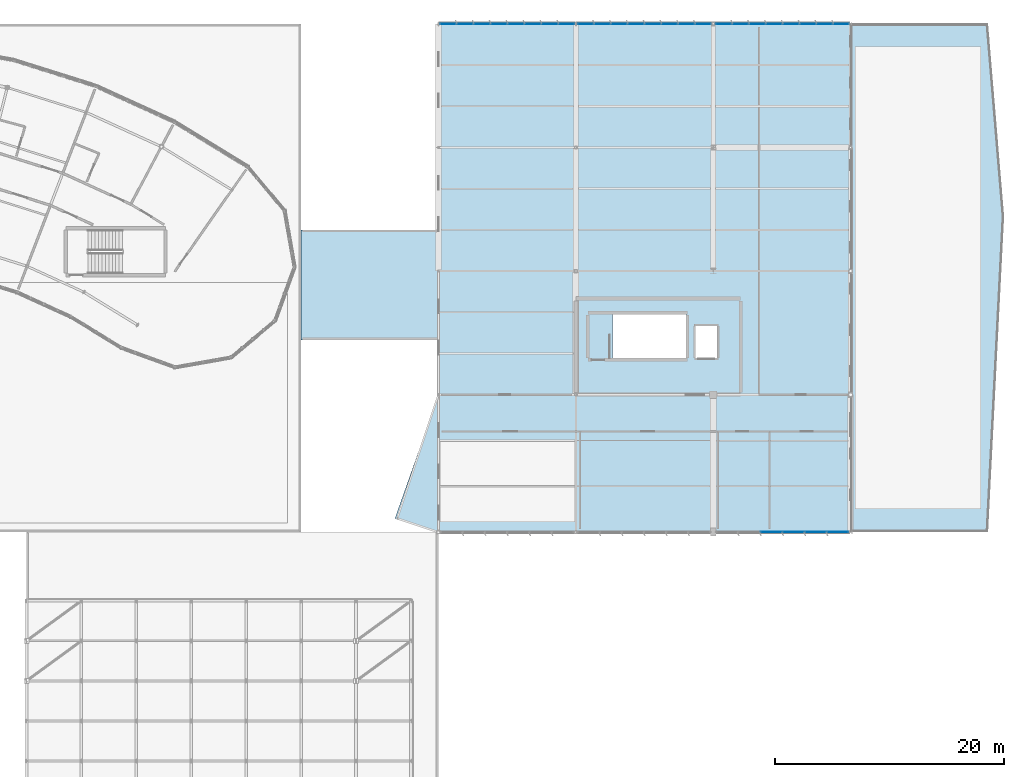
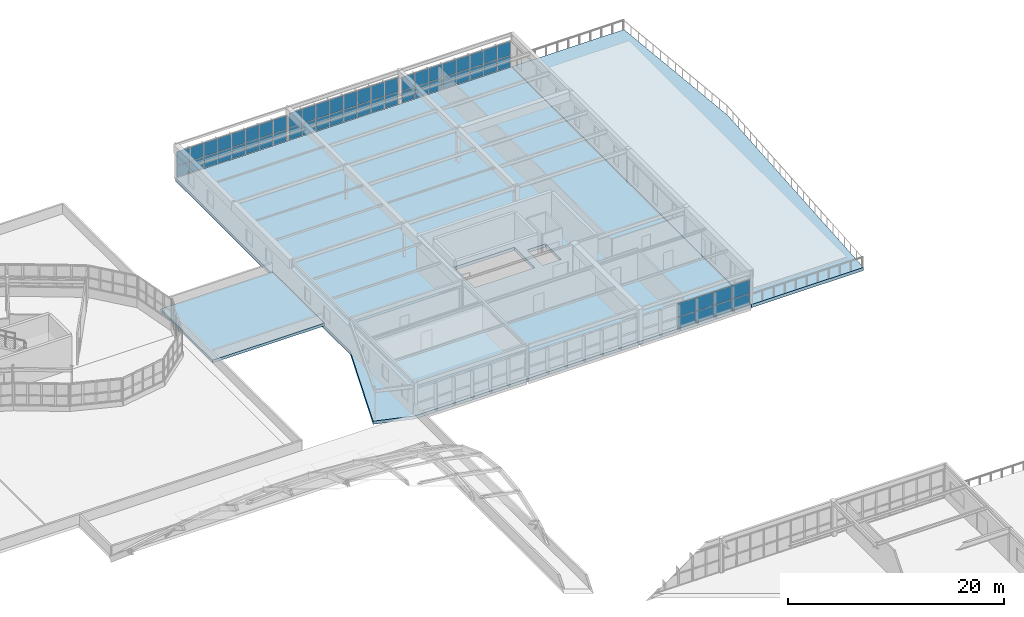
# One storey, part 82 of 128: 56 plates, 3 slabs, 4 elements without a shape of their own.
"""IFC4 building model written with IfcOpenShell, lengths in metres."""

from ifc_helpers import new_model, si_unit, direction, frame, origin, origin_2d, place, context, subcontext, project, spatial, polyline, rectangle, outline, extrude, material, layer, layer_set, type_object, element, aggregate, save


model = new_model("IFC4")

# Units and contexts
model_context = context("Model", 3, precision=1e-05, world=origin(), true_north=direction((0.0, 1.0)))
body_context = subcontext(model_context, "Body", "Model", "MODEL_VIEW")
ifc_project = project(units=[si_unit("LENGTHUNIT", "METRE"), si_unit("AREAUNIT", "SQUARE_METRE"), si_unit("VOLUMEUNIT", "CUBIC_METRE"), si_unit("PLANEANGLEUNIT", "RADIAN"), si_unit("MASSUNIT", "GRAM", prefix="KILO")], contexts=[model_context])

# Site, building, storey
site_placement = place(None, origin())
site = spatial("IfcSite", under=ifc_project, at=site_placement, CompositionType="ELEMENT")
building_placement = place(site_placement, origin())
building = spatial("IfcBuilding", under=site, at=building_placement, Name="Tarnwether General Hospital", CompositionType="ELEMENT")
storey_placement = place(building_placement, frame((0.0, 0.0, 14.39990234375)))
storey = spatial("IfcBuildingStorey", under=building, at=storey_placement, Name="L03", CompositionType="ELEMENT", Elevation=14.39990234375)

# Curtain wall, plates
ifc_material_1 = material(Name="Anodised aluminium", Category="aluminium")
ifc_layer_1 = layer(ifc_material_1, 0.159912109375)
ifc_layer_set_1 = layer_set([ifc_layer_1], Name="Anodised aluminium")
curtain_wall_type_1 = type_object("IfcCurtainWallType", Name="CW-16", PredefinedType="NOTDEFINED", material=ifc_layer_set_1)
curtain_wall_1_placement = place(storey_placement, origin())
curtain_wall_1 = element("IfcCurtainWall", 1, at=curtain_wall_1_placement, inside=storey, type_object=curtain_wall_type_1, Name="Curtain Wall CWG-L03-1441_1260-0482", PredefinedType="NOTDEFINED")
ifc_material_2 = material(Name="Double glazed low-E glass", Category="glass")
ifc_layer_2 = layer(ifc_material_2, 0.028076171875)
ifc_layer_set_2 = layer_set([ifc_layer_2], Name="Double glazed low-E glass")
plate_type = type_object("IfcPlateType", Name="PT-CWP1", PredefinedType="CURTAIN_PANEL", material=ifc_layer_set_2)
plate_1_placement = place(storey_placement, frame((144.826416015625, 126.0, 0.06005859375), z_axis=(0.0, 0.0, 1.0), x_axis=(1.0, 0.0, 0.0)))
plate_1 = element("IfcPlate", 2, at=plate_1_placement, type_object=plate_type, Name="CW-16 panel 1.1", PredefinedType="CURTAIN_PANEL", context=body_context, shape_type="SweptSolid", body=[
    extrude(rectangle(XDim=1.390625, YDim=0.028076171875, at=origin_2d()), origin(), (0.0, 0.0, 1.0), 1.25341796875),
])
plate_2_placement = place(storey_placement, frame((144.826416015625, 126.0, 1.373291015625), z_axis=(0.0, 0.0, 1.0), x_axis=(1.0, 0.0, 0.0)))
plate_2 = element("IfcPlate", 3, at=plate_2_placement, type_object=plate_type, Name="CW-16 panel 1.2", PredefinedType="CURTAIN_PANEL", context=body_context, shape_type="SweptSolid", body=[
    extrude(rectangle(XDim=1.390625, YDim=0.028076171875, at=origin_2d()), origin(), (0.0, 0.0, 1.0), 1.5517578125),
])
plate_3_placement = place(storey_placement, frame((146.2919921875, 126.0, 0.06005859375), z_axis=(0.0, 0.0, 1.0), x_axis=(1.0, 0.0, 0.0)))
plate_3 = element("IfcPlate", 4, at=plate_3_placement, type_object=plate_type, Name="CW-16 panel 2.1", PredefinedType="CURTAIN_PANEL", context=body_context, shape_type="SweptSolid", body=[
    extrude(rectangle(XDim=1.420654296875, YDim=0.028076171875, at=origin_2d()), origin(), (0.0, 0.0, 1.0), 1.25341796875),
])
plate_4_placement = place(storey_placement, frame((146.2919921875, 126.0, 1.373291015625), z_axis=(0.0, 0.0, 1.0), x_axis=(1.0, 0.0, 0.0)))
plate_4 = element("IfcPlate", 5, at=plate_4_placement, type_object=plate_type, Name="CW-16 panel 2.2", PredefinedType="CURTAIN_PANEL", context=body_context, shape_type="SweptSolid", body=[
    extrude(rectangle(XDim=1.420654296875, YDim=0.028076171875, at=origin_2d()), origin(), (0.0, 0.0, 1.0), 1.5517578125),
])
plate_5_placement = place(storey_placement, frame((147.7724609375, 126.0, 0.06005859375), z_axis=(0.0, 0.0, 1.0), x_axis=(1.0, 0.0, 0.0)))
plate_5 = element("IfcPlate", 6, at=plate_5_placement, type_object=plate_type, Name="CW-16 panel 3.1", PredefinedType="CURTAIN_PANEL", context=body_context, shape_type="SweptSolid", body=[
    extrude(rectangle(XDim=1.420654296875, YDim=0.028076171875, at=origin_2d()), origin(), (0.0, 0.0, 1.0), 1.25341796875),
])
plate_6_placement = place(storey_placement, frame((147.7724609375, 126.0, 1.373291015625), z_axis=(0.0, 0.0, 1.0), x_axis=(1.0, 0.0, 0.0)))
plate_6 = element("IfcPlate", 7, at=plate_6_placement, type_object=plate_type, Name="CW-16 panel 3.2", PredefinedType="CURTAIN_PANEL", context=body_context, shape_type="SweptSolid", body=[
    extrude(rectangle(XDim=1.420654296875, YDim=0.028076171875, at=origin_2d()), origin(), (0.0, 0.0, 1.0), 1.5517578125),
])
plate_7_placement = place(storey_placement, frame((149.253173828125, 126.0, 0.06005859375), z_axis=(0.0, 0.0, 1.0), x_axis=(1.0, 0.0, 0.0)))
plate_7 = element("IfcPlate", 8, at=plate_7_placement, type_object=plate_type, Name="CW-16 panel 4.1", PredefinedType="CURTAIN_PANEL", context=body_context, shape_type="SweptSolid", body=[
    extrude(rectangle(XDim=1.420654296875, YDim=0.028076171875, at=origin_2d()), origin(), (0.0, 0.0, 1.0), 1.25341796875),
])
plate_8_placement = place(storey_placement, frame((149.253173828125, 126.0, 1.373291015625), z_axis=(0.0, 0.0, 1.0), x_axis=(1.0, 0.0, 0.0)))
plate_8 = element("IfcPlate", 9, at=plate_8_placement, type_object=plate_type, Name="CW-16 panel 4.2", PredefinedType="CURTAIN_PANEL", context=body_context, shape_type="SweptSolid", body=[
    extrude(rectangle(XDim=1.420654296875, YDim=0.028076171875, at=origin_2d()), origin(), (0.0, 0.0, 1.0), 1.5517578125),
])
plate_9_placement = place(storey_placement, frame((150.73388671875, 126.0, 0.06005859375), z_axis=(0.0, 0.0, 1.0), x_axis=(1.0, 0.0, 0.0)))
plate_9 = element("IfcPlate", 10, at=plate_9_placement, type_object=plate_type, Name="CW-16 panel 5.1", PredefinedType="CURTAIN_PANEL", context=body_context, shape_type="SweptSolid", body=[
    extrude(rectangle(XDim=1.420654296875, YDim=0.028076171875, at=origin_2d()), origin(), (0.0, 0.0, 1.0), 1.25341796875),
])
plate_10_placement = place(storey_placement, frame((150.73388671875, 126.0, 1.373291015625), z_axis=(0.0, 0.0, 1.0), x_axis=(1.0, 0.0, 0.0)))
plate_10 = element("IfcPlate", 11, at=plate_10_placement, type_object=plate_type, Name="CW-16 panel 5.2", PredefinedType="CURTAIN_PANEL", context=body_context, shape_type="SweptSolid", body=[
    extrude(rectangle(XDim=1.420654296875, YDim=0.028076171875, at=origin_2d()), origin(), (0.0, 0.0, 1.0), 1.5517578125),
])
plate_11_placement = place(storey_placement, frame((152.21435546875, 126.0, 0.06005859375), z_axis=(0.0, 0.0, 1.0), x_axis=(1.0, 0.0, 0.0)))
plate_11 = element("IfcPlate", 12, at=plate_11_placement, type_object=plate_type, Name="CW-16 panel 6.1", PredefinedType="CURTAIN_PANEL", context=body_context, shape_type="SweptSolid", body=[
    extrude(rectangle(XDim=1.420654296875, YDim=0.028076171875, at=origin_2d()), origin(), (0.0, 0.0, 1.0), 1.25341796875),
])
plate_12_placement = place(storey_placement, frame((152.21435546875, 126.0, 1.373291015625), z_axis=(0.0, 0.0, 1.0), x_axis=(1.0, 0.0, 0.0)))
plate_12 = element("IfcPlate", 13, at=plate_12_placement, type_object=plate_type, Name="CW-16 panel 6.2", PredefinedType="CURTAIN_PANEL", context=body_context, shape_type="SweptSolid", body=[
    extrude(rectangle(XDim=1.420654296875, YDim=0.028076171875, at=origin_2d()), origin(), (0.0, 0.0, 1.0), 1.5517578125),
])
plate_13_placement = place(storey_placement, frame((153.695068359375, 126.0, 0.06005859375), z_axis=(0.0, 0.0, 1.0), x_axis=(1.0, 0.0, 0.0)))
plate_13 = element("IfcPlate", 14, at=plate_13_placement, type_object=plate_type, Name="CW-16 panel 7.1", PredefinedType="CURTAIN_PANEL", context=body_context, shape_type="SweptSolid", body=[
    extrude(rectangle(XDim=1.420654296875, YDim=0.028076171875, at=origin_2d()), origin(), (0.0, 0.0, 1.0), 1.25341796875),
])
plate_14_placement = place(storey_placement, frame((153.695068359375, 126.0, 1.373291015625), z_axis=(0.0, 0.0, 1.0), x_axis=(1.0, 0.0, 0.0)))
plate_14 = element("IfcPlate", 15, at=plate_14_placement, type_object=plate_type, Name="CW-16 panel 7.2", PredefinedType="CURTAIN_PANEL", context=body_context, shape_type="SweptSolid", body=[
    extrude(rectangle(XDim=1.420654296875, YDim=0.028076171875, at=origin_2d()), origin(), (0.0, 0.0, 1.0), 1.5517578125),
])
plate_15_placement = place(storey_placement, frame((155.16064453125, 126.0, 0.06005859375), z_axis=(0.0, 0.0, 1.0), x_axis=(1.0, 0.0, 0.0)))
plate_15 = element("IfcPlate", 16, at=plate_15_placement, type_object=plate_type, Name="CW-16 panel 8.1", PredefinedType="CURTAIN_PANEL", context=body_context, shape_type="SweptSolid", body=[
    extrude(rectangle(XDim=1.390625, YDim=0.028076171875, at=origin_2d()), origin(), (0.0, 0.0, 1.0), 1.25341796875),
])
plate_16_placement = place(storey_placement, frame((155.16064453125, 126.0, 1.373291015625), z_axis=(0.0, 0.0, 1.0), x_axis=(1.0, 0.0, 0.0)))
plate_16 = element("IfcPlate", 17, at=plate_16_placement, type_object=plate_type, Name="CW-16 panel 8.2", PredefinedType="CURTAIN_PANEL", context=body_context, shape_type="SweptSolid", body=[
    extrude(rectangle(XDim=1.390625, YDim=0.028076171875, at=origin_2d()), origin(), (0.0, 0.0, 1.0), 1.5517578125),
])
aggregate(curtain_wall_1, [plate_1, plate_2, plate_3, plate_4, plate_5, plate_6, plate_7, plate_8, plate_9, plate_10, plate_11, plate_12, plate_13, plate_14, plate_15, plate_16])

curtain_wall_2_placement = place(storey_placement, origin())
curtain_wall_2 = element("IfcCurtainWall", 18, at=curtain_wall_2_placement, inside=storey, type_object=curtain_wall_type_1, Name="Curtain Wall CWG-L03-1561_1260-0483", PredefinedType="NOTDEFINED")
plate_17_placement = place(storey_placement, frame((156.833984375, 126.0, 0.06005859375), z_axis=(0.0, 0.0, 1.0), x_axis=(1.0, 0.0, 0.0)))
plate_17 = element("IfcPlate", 19, at=plate_17_placement, type_object=plate_type, Name="CW-16 panel 1.1", PredefinedType="CURTAIN_PANEL", context=body_context, shape_type="SweptSolid", body=[
    extrude(rectangle(XDim=1.379638671875, YDim=0.028076171875, at=origin_2d()), origin(), (0.0, 0.0, 1.0), 1.32080078125),
])
plate_18_placement = place(storey_placement, frame((156.833984375, 126.0, 1.44091796875), z_axis=(0.0, 0.0, 1.0), x_axis=(1.0, 0.0, 0.0)))
plate_18 = element("IfcPlate", 20, at=plate_18_placement, type_object=plate_type, Name="CW-16 panel 1.2", PredefinedType="CURTAIN_PANEL", context=body_context, shape_type="SweptSolid", body=[
    extrude(rectangle(XDim=1.379638671875, YDim=0.028076171875, at=origin_2d()), origin(), (0.0, 0.0, 1.0), 1.63427734375),
])
plate_19_placement = place(storey_placement, frame((158.28857421875, 126.0, 0.06005859375), z_axis=(0.0, 0.0, 1.0), x_axis=(1.0, 0.0, 0.0)))
plate_19 = element("IfcPlate", 21, at=plate_19_placement, type_object=plate_type, Name="CW-16 panel 2.1", PredefinedType="CURTAIN_PANEL", context=body_context, shape_type="SweptSolid", body=[
    extrude(rectangle(XDim=1.40966796875, YDim=0.028076171875, at=origin_2d()), origin(), (0.0, 0.0, 1.0), 1.32080078125),
])
plate_20_placement = place(storey_placement, frame((158.28857421875, 126.0, 1.44091796875), z_axis=(0.0, 0.0, 1.0), x_axis=(1.0, 0.0, 0.0)))
plate_20 = element("IfcPlate", 22, at=plate_20_placement, type_object=plate_type, Name="CW-16 panel 2.2", PredefinedType="CURTAIN_PANEL", context=body_context, shape_type="SweptSolid", body=[
    extrude(rectangle(XDim=1.40966796875, YDim=0.028076171875, at=origin_2d()), origin(), (0.0, 0.0, 1.0), 1.63427734375),
])
plate_21_placement = place(storey_placement, frame((159.75830078125, 126.0, 0.06005859375), z_axis=(0.0, 0.0, 1.0), x_axis=(1.0, 0.0, 0.0)))
plate_21 = element("IfcPlate", 23, at=plate_21_placement, type_object=plate_type, Name="CW-16 panel 3.1", PredefinedType="CURTAIN_PANEL", context=body_context, shape_type="SweptSolid", body=[
    extrude(rectangle(XDim=1.40966796875, YDim=0.028076171875, at=origin_2d()), origin(), (0.0, 0.0, 1.0), 1.32080078125),
])
plate_22_placement = place(storey_placement, frame((159.75830078125, 126.0, 1.44091796875), z_axis=(0.0, 0.0, 1.0), x_axis=(1.0, 0.0, 0.0)))
plate_22 = element("IfcPlate", 24, at=plate_22_placement, type_object=plate_type, Name="CW-16 panel 3.2", PredefinedType="CURTAIN_PANEL", context=body_context, shape_type="SweptSolid", body=[
    extrude(rectangle(XDim=1.40966796875, YDim=0.028076171875, at=origin_2d()), origin(), (0.0, 0.0, 1.0), 1.63427734375),
])
plate_23_placement = place(storey_placement, frame((161.22802734375, 126.0, 0.06005859375), z_axis=(0.0, 0.0, 1.0), x_axis=(1.0, 0.0, 0.0)))
plate_23 = element("IfcPlate", 25, at=plate_23_placement, type_object=plate_type, Name="CW-16 panel 4.1", PredefinedType="CURTAIN_PANEL", context=body_context, shape_type="SweptSolid", body=[
    extrude(rectangle(XDim=1.40966796875, YDim=0.028076171875, at=origin_2d()), origin(), (0.0, 0.0, 1.0), 1.32080078125),
])
plate_24_placement = place(storey_placement, frame((161.22802734375, 126.0, 1.44091796875), z_axis=(0.0, 0.0, 1.0), x_axis=(1.0, 0.0, 0.0)))
plate_24 = element("IfcPlate", 26, at=plate_24_placement, type_object=plate_type, Name="CW-16 panel 4.2", PredefinedType="CURTAIN_PANEL", context=body_context, shape_type="SweptSolid", body=[
    extrude(rectangle(XDim=1.40966796875, YDim=0.028076171875, at=origin_2d()), origin(), (0.0, 0.0, 1.0), 1.63427734375),
])
plate_25_placement = place(storey_placement, frame((162.69775390625, 126.0, 0.06005859375), z_axis=(0.0, 0.0, 1.0), x_axis=(1.0, 0.0, 0.0)))
plate_25 = element("IfcPlate", 27, at=plate_25_placement, type_object=plate_type, Name="CW-16 panel 5.1", PredefinedType="CURTAIN_PANEL", context=body_context, shape_type="SweptSolid", body=[
    extrude(rectangle(XDim=1.40966796875, YDim=0.028076171875, at=origin_2d()), origin(), (0.0, 0.0, 1.0), 1.32080078125),
])
plate_26_placement = place(storey_placement, frame((162.69775390625, 126.0, 1.44091796875), z_axis=(0.0, 0.0, 1.0), x_axis=(1.0, 0.0, 0.0)))
plate_26 = element("IfcPlate", 28, at=plate_26_placement, type_object=plate_type, Name="CW-16 panel 5.2", PredefinedType="CURTAIN_PANEL", context=body_context, shape_type="SweptSolid", body=[
    extrude(rectangle(XDim=1.40966796875, YDim=0.028076171875, at=origin_2d()), origin(), (0.0, 0.0, 1.0), 1.63427734375),
])
plate_27_placement = place(storey_placement, frame((164.167724609375, 126.0, 0.06005859375), z_axis=(0.0, 0.0, 1.0), x_axis=(1.0, 0.0, 0.0)))
plate_27 = element("IfcPlate", 29, at=plate_27_placement, type_object=plate_type, Name="CW-16 panel 6.1", PredefinedType="CURTAIN_PANEL", context=body_context, shape_type="SweptSolid", body=[
    extrude(rectangle(XDim=1.40966796875, YDim=0.028076171875, at=origin_2d()), origin(), (0.0, 0.0, 1.0), 1.32080078125),
])
plate_28_placement = place(storey_placement, frame((164.167724609375, 126.0, 1.44091796875), z_axis=(0.0, 0.0, 1.0), x_axis=(1.0, 0.0, 0.0)))
plate_28 = element("IfcPlate", 30, at=plate_28_placement, type_object=plate_type, Name="CW-16 panel 6.2", PredefinedType="CURTAIN_PANEL", context=body_context, shape_type="SweptSolid", body=[
    extrude(rectangle(XDim=1.40966796875, YDim=0.028076171875, at=origin_2d()), origin(), (0.0, 0.0, 1.0), 1.63427734375),
])
plate_29_placement = place(storey_placement, frame((165.637451171875, 126.0, 0.06005859375), z_axis=(0.0, 0.0, 1.0), x_axis=(1.0, 0.0, 0.0)))
plate_29 = element("IfcPlate", 31, at=plate_29_placement, type_object=plate_type, Name="CW-16 panel 7.1", PredefinedType="CURTAIN_PANEL", context=body_context, shape_type="SweptSolid", body=[
    extrude(rectangle(XDim=1.40966796875, YDim=0.028076171875, at=origin_2d()), origin(), (0.0, 0.0, 1.0), 1.32080078125),
])
plate_30_placement = place(storey_placement, frame((165.637451171875, 126.0, 1.44091796875), z_axis=(0.0, 0.0, 1.0), x_axis=(1.0, 0.0, 0.0)))
plate_30 = element("IfcPlate", 32, at=plate_30_placement, type_object=plate_type, Name="CW-16 panel 7.2", PredefinedType="CURTAIN_PANEL", context=body_context, shape_type="SweptSolid", body=[
    extrude(rectangle(XDim=1.40966796875, YDim=0.028076171875, at=origin_2d()), origin(), (0.0, 0.0, 1.0), 1.63427734375),
])
plate_31_placement = place(storey_placement, frame((167.092041015625, 126.0, 0.06005859375), z_axis=(0.0, 0.0, 1.0), x_axis=(1.0, 0.0, 0.0)))
plate_31 = element("IfcPlate", 33, at=plate_31_placement, type_object=plate_type, Name="CW-16 panel 8.1", PredefinedType="CURTAIN_PANEL", context=body_context, shape_type="SweptSolid", body=[
    extrude(rectangle(XDim=1.379638671875, YDim=0.028076171875, at=origin_2d()), origin(), (0.0, 0.0, 1.0), 1.32080078125),
])
plate_32_placement = place(storey_placement, frame((167.092041015625, 126.0, 1.44091796875), z_axis=(0.0, 0.0, 1.0), x_axis=(1.0, 0.0, 0.0)))
plate_32 = element("IfcPlate", 34, at=plate_32_placement, type_object=plate_type, Name="CW-16 panel 8.2", PredefinedType="CURTAIN_PANEL", context=body_context, shape_type="SweptSolid", body=[
    extrude(rectangle(XDim=1.379638671875, YDim=0.028076171875, at=origin_2d()), origin(), (0.0, 0.0, 1.0), 1.63427734375),
])
aggregate(curtain_wall_2, [plate_17, plate_18, plate_19, plate_20, plate_21, plate_22, plate_23, plate_24, plate_25, plate_26, plate_27, plate_28, plate_29, plate_30, plate_31, plate_32])

curtain_wall_3_placement = place(storey_placement, origin())
curtain_wall_3 = element("IfcCurtainWall", 35, at=curtain_wall_3_placement, inside=storey, type_object=curtain_wall_type_1, Name="Curtain Wall CWG-L03-1682_1260-0484", PredefinedType="NOTDEFINED")
plate_33_placement = place(storey_placement, frame((168.907470703125, 126.0, 0.06005859375), z_axis=(0.0, 0.0, 1.0), x_axis=(1.0, 0.0, 0.0)))
plate_33 = element("IfcPlate", 36, at=plate_33_placement, type_object=plate_type, Name="CW-16 panel 1.1", PredefinedType="CURTAIN_PANEL", context=body_context, shape_type="SweptSolid", body=[
    extrude(rectangle(XDim=1.379150390625, YDim=0.028076171875, at=origin_2d()), origin(), (0.0, 0.0, 1.0), 1.25341796875),
])
plate_34_placement = place(storey_placement, frame((168.907470703125, 126.0, 1.373291015625), z_axis=(0.0, 0.0, 1.0), x_axis=(1.0, 0.0, 0.0)))
plate_34 = element("IfcPlate", 37, at=plate_34_placement, type_object=plate_type, Name="CW-16 panel 1.2", PredefinedType="CURTAIN_PANEL", context=body_context, shape_type="SweptSolid", body=[
    extrude(rectangle(XDim=1.379150390625, YDim=0.028076171875, at=origin_2d()), origin(), (0.0, 0.0, 1.0), 1.5517578125),
])
plate_35_placement = place(storey_placement, frame((170.361572265625, 126.0, 0.06005859375), z_axis=(0.0, 0.0, 1.0), x_axis=(1.0, 0.0, 0.0)))
plate_35 = element("IfcPlate", 38, at=plate_35_placement, type_object=plate_type, Name="CW-16 panel 2.1", PredefinedType="CURTAIN_PANEL", context=body_context, shape_type="SweptSolid", body=[
    extrude(rectangle(XDim=1.4091796875, YDim=0.028076171875, at=origin_2d()), origin(), (0.0, 0.0, 1.0), 1.25341796875),
])
plate_36_placement = place(storey_placement, frame((170.361572265625, 126.0, 1.373291015625), z_axis=(0.0, 0.0, 1.0), x_axis=(1.0, 0.0, 0.0)))
plate_36 = element("IfcPlate", 39, at=plate_36_placement, type_object=plate_type, Name="CW-16 panel 2.2", PredefinedType="CURTAIN_PANEL", context=body_context, shape_type="SweptSolid", body=[
    extrude(rectangle(XDim=1.4091796875, YDim=0.028076171875, at=origin_2d()), origin(), (0.0, 0.0, 1.0), 1.5517578125),
])
plate_37_placement = place(storey_placement, frame((171.830810546875, 126.0, 0.06005859375), z_axis=(0.0, 0.0, 1.0), x_axis=(1.0, 0.0, 0.0)))
plate_37 = element("IfcPlate", 40, at=plate_37_placement, type_object=plate_type, Name="CW-16 panel 3.1", PredefinedType="CURTAIN_PANEL", context=body_context, shape_type="SweptSolid", body=[
    extrude(rectangle(XDim=1.4091796875, YDim=0.028076171875, at=origin_2d()), origin(), (0.0, 0.0, 1.0), 1.25341796875),
])
plate_38_placement = place(storey_placement, frame((171.830810546875, 126.0, 1.373291015625), z_axis=(0.0, 0.0, 1.0), x_axis=(1.0, 0.0, 0.0)))
plate_38 = element("IfcPlate", 41, at=plate_38_placement, type_object=plate_type, Name="CW-16 panel 3.2", PredefinedType="CURTAIN_PANEL", context=body_context, shape_type="SweptSolid", body=[
    extrude(rectangle(XDim=1.4091796875, YDim=0.028076171875, at=origin_2d()), origin(), (0.0, 0.0, 1.0), 1.5517578125),
])
plate_39_placement = place(storey_placement, frame((173.300048828125, 126.0, 0.06005859375), z_axis=(0.0, 0.0, 1.0), x_axis=(1.0, 0.0, 0.0)))
plate_39 = element("IfcPlate", 42, at=plate_39_placement, type_object=plate_type, Name="CW-16 panel 4.1", PredefinedType="CURTAIN_PANEL", context=body_context, shape_type="SweptSolid", body=[
    extrude(rectangle(XDim=1.4091796875, YDim=0.028076171875, at=origin_2d()), origin(), (0.0, 0.0, 1.0), 1.25341796875),
])
plate_40_placement = place(storey_placement, frame((173.300048828125, 126.0, 1.373291015625), z_axis=(0.0, 0.0, 1.0), x_axis=(1.0, 0.0, 0.0)))
plate_40 = element("IfcPlate", 43, at=plate_40_placement, type_object=plate_type, Name="CW-16 panel 4.2", PredefinedType="CURTAIN_PANEL", context=body_context, shape_type="SweptSolid", body=[
    extrude(rectangle(XDim=1.4091796875, YDim=0.028076171875, at=origin_2d()), origin(), (0.0, 0.0, 1.0), 1.5517578125),
])
plate_41_placement = place(storey_placement, frame((174.76904296875, 126.0, 0.06005859375), z_axis=(0.0, 0.0, 1.0), x_axis=(1.0, 0.0, 0.0)))
plate_41 = element("IfcPlate", 44, at=plate_41_placement, type_object=plate_type, Name="CW-16 panel 5.1", PredefinedType="CURTAIN_PANEL", context=body_context, shape_type="SweptSolid", body=[
    extrude(rectangle(XDim=1.4091796875, YDim=0.028076171875, at=origin_2d()), origin(), (0.0, 0.0, 1.0), 1.25341796875),
])
plate_42_placement = place(storey_placement, frame((174.76904296875, 126.0, 1.373291015625), z_axis=(0.0, 0.0, 1.0), x_axis=(1.0, 0.0, 0.0)))
plate_42 = element("IfcPlate", 45, at=plate_42_placement, type_object=plate_type, Name="CW-16 panel 5.2", PredefinedType="CURTAIN_PANEL", context=body_context, shape_type="SweptSolid", body=[
    extrude(rectangle(XDim=1.4091796875, YDim=0.028076171875, at=origin_2d()), origin(), (0.0, 0.0, 1.0), 1.5517578125),
])
plate_43_placement = place(storey_placement, frame((176.23828125, 126.0, 0.06005859375), z_axis=(0.0, 0.0, 1.0), x_axis=(1.0, 0.0, 0.0)))
plate_43 = element("IfcPlate", 46, at=plate_43_placement, type_object=plate_type, Name="CW-16 panel 6.1", PredefinedType="CURTAIN_PANEL", context=body_context, shape_type="SweptSolid", body=[
    extrude(rectangle(XDim=1.4091796875, YDim=0.028076171875, at=origin_2d()), origin(), (0.0, 0.0, 1.0), 1.25341796875),
])
plate_44_placement = place(storey_placement, frame((176.23828125, 126.0, 1.373291015625), z_axis=(0.0, 0.0, 1.0), x_axis=(1.0, 0.0, 0.0)))
plate_44 = element("IfcPlate", 47, at=plate_44_placement, type_object=plate_type, Name="CW-16 panel 6.2", PredefinedType="CURTAIN_PANEL", context=body_context, shape_type="SweptSolid", body=[
    extrude(rectangle(XDim=1.4091796875, YDim=0.028076171875, at=origin_2d()), origin(), (0.0, 0.0, 1.0), 1.5517578125),
])
plate_45_placement = place(storey_placement, frame((177.707275390625, 126.0, 0.06005859375), z_axis=(0.0, 0.0, 1.0), x_axis=(1.0, 0.0, 0.0)))
plate_45 = element("IfcPlate", 48, at=plate_45_placement, type_object=plate_type, Name="CW-16 panel 7.1", PredefinedType="CURTAIN_PANEL", context=body_context, shape_type="SweptSolid", body=[
    extrude(rectangle(XDim=1.4091796875, YDim=0.028076171875, at=origin_2d()), origin(), (0.0, 0.0, 1.0), 1.25341796875),
])
plate_46_placement = place(storey_placement, frame((177.707275390625, 126.0, 1.373291015625), z_axis=(0.0, 0.0, 1.0), x_axis=(1.0, 0.0, 0.0)))
plate_46 = element("IfcPlate", 49, at=plate_46_placement, type_object=plate_type, Name="CW-16 panel 7.2", PredefinedType="CURTAIN_PANEL", context=body_context, shape_type="SweptSolid", body=[
    extrude(rectangle(XDim=1.4091796875, YDim=0.028076171875, at=origin_2d()), origin(), (0.0, 0.0, 1.0), 1.5517578125),
])
plate_47_placement = place(storey_placement, frame((179.161376953125, 126.0, 0.06005859375), z_axis=(0.0, 0.0, 1.0), x_axis=(1.0, 0.0, 0.0)))
plate_47 = element("IfcPlate", 50, at=plate_47_placement, type_object=plate_type, Name="CW-16 panel 8.1", PredefinedType="CURTAIN_PANEL", context=body_context, shape_type="SweptSolid", body=[
    extrude(rectangle(XDim=1.379150390625, YDim=0.028076171875, at=origin_2d()), origin(), (0.0, 0.0, 1.0), 1.25341796875),
])
plate_48_placement = place(storey_placement, frame((179.161376953125, 126.0, 1.373291015625), z_axis=(0.0, 0.0, 1.0), x_axis=(1.0, 0.0, 0.0)))
plate_48 = element("IfcPlate", 51, at=plate_48_placement, type_object=plate_type, Name="CW-16 panel 8.2", PredefinedType="CURTAIN_PANEL", context=body_context, shape_type="SweptSolid", body=[
    extrude(rectangle(XDim=1.379150390625, YDim=0.028076171875, at=origin_2d()), origin(), (0.0, 0.0, 1.0), 1.5517578125),
])
aggregate(curtain_wall_3, [plate_33, plate_34, plate_35, plate_36, plate_37, plate_38, plate_39, plate_40, plate_41, plate_42, plate_43, plate_44, plate_45, plate_46, plate_47, plate_48])

ifc_material_3 = material(Name="Anodised aluminium", Category="aluminium")
ifc_layer_3 = layer(ifc_material_3, 0.159912109375)
ifc_layer_set_3 = layer_set([ifc_layer_3], Name="Anodised aluminium")
curtain_wall_type_2 = type_object("IfcCurtainWallType", Name="CW-17", PredefinedType="NOTDEFINED", material=ifc_layer_set_3)
curtain_wall_4_placement = place(storey_placement, origin())
curtain_wall_4 = element("IfcCurtainWall", 52, at=curtain_wall_4_placement, inside=storey, type_object=curtain_wall_type_2, Name="Curtain Wall CWG-L03-1799_816-0485", PredefinedType="NOTDEFINED")
plate_49_placement = place(storey_placement, frame((178.8779296875, 81.60009765625, 0.06005859375), z_axis=(0.0, 0.0, 1.0), x_axis=(-1.0, 0.0, 0.0)))
plate_49 = element("IfcPlate", 53, at=plate_49_placement, type_object=plate_type, Name="CW-17 panel 1.1", PredefinedType="CURTAIN_PANEL", context=body_context, shape_type="SweptSolid", body=[
    extrude(rectangle(XDim=1.84814453125, YDim=0.028076171875, at=origin_2d()), origin(), (0.0, 0.0, 1.0), 1.230712890625),
])
plate_50_placement = place(storey_placement, frame((178.8779296875, 81.60009765625, 1.35107421875), z_axis=(0.0, 0.0, 1.0), x_axis=(-1.0, 0.0, 0.0)))
plate_50 = element("IfcPlate", 54, at=plate_50_placement, type_object=plate_type, Name="CW-17 panel 1.2", PredefinedType="CURTAIN_PANEL", context=body_context, shape_type="SweptSolid", body=[
    extrude(rectangle(XDim=1.84814453125, YDim=0.028076171875, at=origin_2d()), origin(), (0.0, 0.0, 1.0), 1.524169921875),
])
plate_51_placement = place(storey_placement, frame((176.954833984375, 81.60009765625, 0.06005859375), z_axis=(0.0, 0.0, 1.0), x_axis=(-1.0, 0.0, 0.0)))
plate_51 = element("IfcPlate", 55, at=plate_51_placement, type_object=plate_type, Name="CW-17 panel 2.1", PredefinedType="CURTAIN_PANEL", context=body_context, shape_type="SweptSolid", body=[
    extrude(rectangle(XDim=1.878173828125, YDim=0.028076171875, at=origin_2d()), origin(), (0.0, 0.0, 1.0), 1.230712890625),
])
plate_52_placement = place(storey_placement, frame((176.954833984375, 81.60009765625, 1.35107421875), z_axis=(0.0, 0.0, 1.0), x_axis=(-1.0, 0.0, 0.0)))
plate_52 = element("IfcPlate", 56, at=plate_52_placement, type_object=plate_type, Name="CW-17 panel 2.2", PredefinedType="CURTAIN_PANEL", context=body_context, shape_type="SweptSolid", body=[
    extrude(rectangle(XDim=1.878173828125, YDim=0.028076171875, at=origin_2d()), origin(), (0.0, 0.0, 1.0), 1.524169921875),
])
plate_53_placement = place(storey_placement, frame((175.0166015625, 81.60009765625, 0.06005859375), z_axis=(0.0, 0.0, 1.0), x_axis=(-1.0, 0.0, 0.0)))
plate_53 = element("IfcPlate", 57, at=plate_53_placement, type_object=plate_type, Name="CW-17 panel 3.1", PredefinedType="CURTAIN_PANEL", context=body_context, shape_type="SweptSolid", body=[
    extrude(rectangle(XDim=1.878173828125, YDim=0.028076171875, at=origin_2d()), origin(), (0.0, 0.0, 1.0), 1.230712890625),
])
plate_54_placement = place(storey_placement, frame((175.0166015625, 81.60009765625, 1.35107421875), z_axis=(0.0, 0.0, 1.0), x_axis=(-1.0, 0.0, 0.0)))
plate_54 = element("IfcPlate", 58, at=plate_54_placement, type_object=plate_type, Name="CW-17 panel 3.2", PredefinedType="CURTAIN_PANEL", context=body_context, shape_type="SweptSolid", body=[
    extrude(rectangle(XDim=1.878173828125, YDim=0.028076171875, at=origin_2d()), origin(), (0.0, 0.0, 1.0), 1.524169921875),
])
plate_55_placement = place(storey_placement, frame((173.078369140625, 81.60009765625, 0.06005859375), z_axis=(0.0, 0.0, 1.0), x_axis=(-1.0, 0.0, 0.0)))
plate_55 = element("IfcPlate", 59, at=plate_55_placement, type_object=plate_type, Name="CW-17 panel 4.1", PredefinedType="CURTAIN_PANEL", context=body_context, shape_type="SweptSolid", body=[
    extrude(rectangle(XDim=1.878173828125, YDim=0.028076171875, at=origin_2d()), origin(), (0.0, 0.0, 1.0), 1.230712890625),
])
plate_56_placement = place(storey_placement, frame((173.078369140625, 81.60009765625, 1.35107421875), z_axis=(0.0, 0.0, 1.0), x_axis=(-1.0, 0.0, 0.0)))
plate_56 = element("IfcPlate", 60, at=plate_56_placement, type_object=plate_type, Name="CW-17 panel 4.2", PredefinedType="CURTAIN_PANEL", context=body_context, shape_type="SweptSolid", body=[
    extrude(rectangle(XDim=1.878173828125, YDim=0.028076171875, at=origin_2d()), origin(), (0.0, 0.0, 1.0), 1.524169921875),
])
aggregate(curtain_wall_4, [plate_49, plate_50, plate_51, plate_52, plate_53, plate_54, plate_55, plate_56])

# Slabs
ifc_material_4 = material(Name="Concrete 40 MPa", Category="concrete")
ifc_layer_4 = layer(ifc_material_4, 0.35498046875)
ifc_layer_set_4 = layer_set([ifc_layer_4], Name="Concrete 40 MPa")
slab_type_1 = type_object("IfcSlabType", Name="SL-FL220", PredefinedType="FLOOR", material=ifc_layer_set_4)
slab_1_placement = place(storey_placement, frame((0.0, 0.0, -0.35498046875)))
element("IfcSlab", 61, at=slab_1_placement, inside=storey, type_object=slab_type_1, Name="L03 Outpatient North Specialist Shard Floor SL-L03-V6N1", PredefinedType="FLOOR", context=body_context, shape_type="SweptSolid", body=[
    extrude(outline(polyline([(144.0, 93.60009765625), (144.0, 126.0), (180.0, 126.0), (180.0, 81.60009765625), (144.0, 81.60009765625), (140.199951171875, 82.800048828125), (144.0, 93.60009765625)]), holes=[polyline([(168.3798828125, 99.6298828125), (166.419921875, 99.6298828125), (166.419921875, 96.77001953125), (168.3798828125, 96.77001953125), (168.3798828125, 99.6298828125)]), polyline([(165.60009765625, 100.60009765625), (159.179931640625, 100.60009765625), (159.179931640625, 96.800048828125), (165.60009765625, 96.800048828125), (165.60009765625, 100.60009765625)])]), origin(), (0.0, 0.0, 1.0), 0.35498046875),
])
ifc_material_5 = material(Name="Concrete 40 MPa", Category="concrete")
ifc_layer_5 = layer(ifc_material_5, 0.31005859375)
ifc_layer_set_5 = layer_set([ifc_layer_5], Name="Concrete 40 MPa")
slab_type_2 = type_object("IfcSlabType", Name="SL-RF160", PredefinedType="ROOF", material=ifc_layer_set_5)
slab_2_placement = place(storey_placement, origin())
element("IfcSlab", 62, at=slab_2_placement, inside=storey, type_object=slab_type_2, Name="North Court Bridge Roof SL-L03-BRNRF", PredefinedType="ROOF", context=body_context, shape_type="SweptSolid", body=[
    extrude(outline(polyline([(144.0, 98.39990234375), (144.0, 108.0), (132.0, 108.0), (132.0, 98.39990234375), (144.0, 98.39990234375)])), origin(), (0.0, 0.0, 1.0), 0.31005859375),
])
ifc_material_6 = material(Name="Concrete 40 MPa", Category="concrete")
ifc_layer_6 = layer(ifc_material_6, 0.360107421875)
ifc_layer_set_6 = layer_set([ifc_layer_6], Name="Concrete 40 MPa")
slab_type_3 = type_object("IfcSlabType", Name="SL-TR240", PredefinedType="FLOOR", material=ifc_layer_set_6)
slab_3_placement = place(storey_placement, frame((0.0, 0.0, -0.35986328125)))
element("IfcSlab", 63, at=slab_3_placement, inside=storey, type_object=slab_type_3, Name="L03 Outpatient North-East Shard Roof Garden SL-L03-V6NTER", PredefinedType="FLOOR", context=body_context, shape_type="SweptSolid", body=[
    extrude(outline(polyline([(192.0, 126.0), (193.39990234375, 109.199951171875), (192.0, 81.60009765625), (180.0, 81.60009765625), (180.0, 126.0), (192.0, 126.0)])), origin(), (0.0, 0.0, 1.0), 0.35986328125),
])

save(model, "model.ifc")
